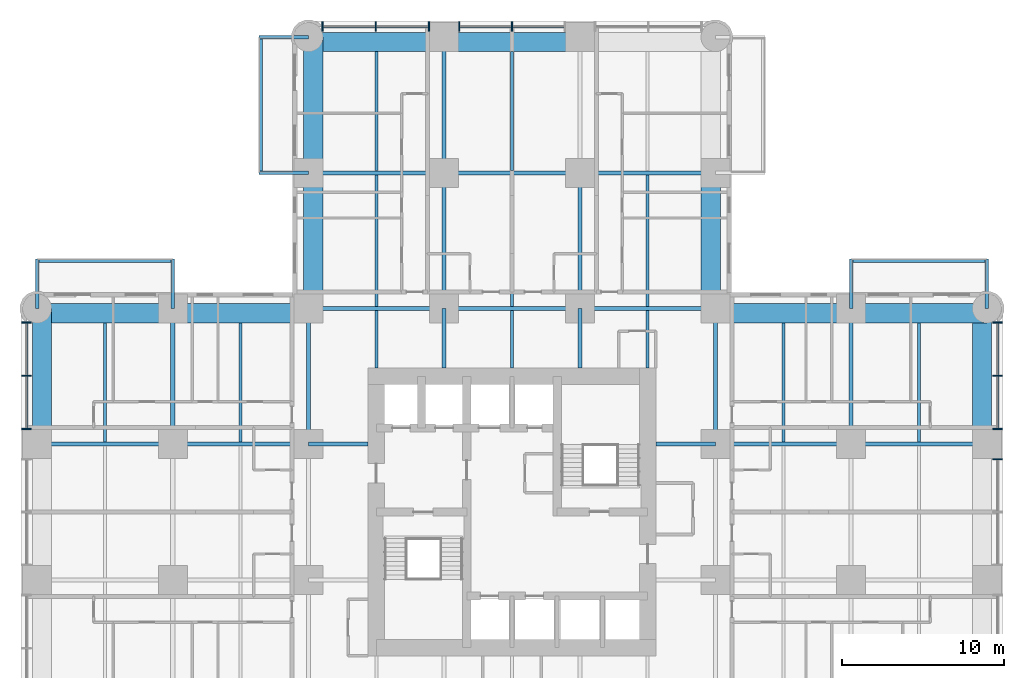
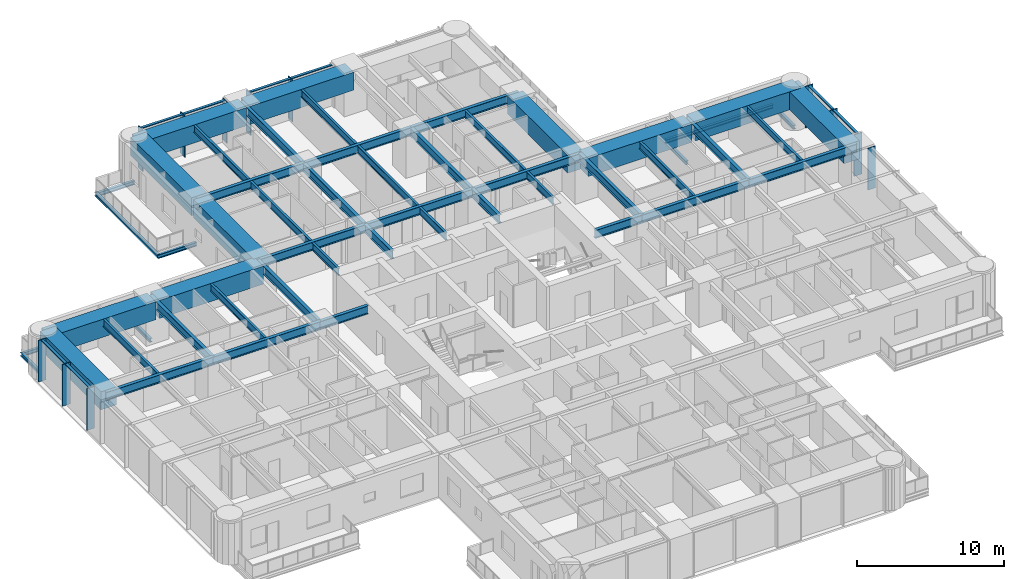
# One storey, part 4 of 17: 53 beams, 20 members, 3 elements without a shape of their own.
"""IFC4 building model written with IfcOpenShell, lengths in metres."""

from ifc_helpers import new_model, si_unit, direction, frame, origin, origin_2d, place, context, subcontext, project, spatial, rectangle, i_section, extrude, material, material_profile, profile_set, type_object, element, aggregate, save


model = new_model("IFC4")

# Units and contexts
model_context = context("Model", 3, precision=1e-05, world=origin(), true_north=direction((0.0, 1.0)))
body_context = subcontext(model_context, "Body", "Model", "MODEL_VIEW")
ifc_project = project(units=[si_unit("LENGTHUNIT", "METRE"), si_unit("AREAUNIT", "SQUARE_METRE"), si_unit("VOLUMEUNIT", "CUBIC_METRE"), si_unit("PLANEANGLEUNIT", "RADIAN"), si_unit("MASSUNIT", "GRAM", prefix="KILO")], contexts=[model_context])

# Site, building, storey
site_placement = place(None, origin())
site = spatial("IfcSite", under=ifc_project, at=site_placement, CompositionType="ELEMENT")
building_placement = place(site_placement, origin())
building = spatial("IfcBuilding", under=site, at=building_placement, Name="Torre Alcanfor", CompositionType="ELEMENT")
storey_placement = place(building_placement, frame((0.0, 0.0, 88.5)))
storey = spatial("IfcBuildingStorey", under=building, at=storey_placement, Name="L22", CompositionType="ELEMENT", Elevation=88.5)

# Beams
ifc_material_1 = material(Name="Steel ASTM A992 Grade 50", Category="steel")
ifc_material_profile_1 = material_profile(ifc_material_1, i_section(OverallWidth=0.205322265625, OverallDepth=0.309814453125, WebThickness=0.00927734375, FlangeThickness=0.016357421875, at=origin_2d()), Name="W12x50")
ifc_profile_set_1 = profile_set([ifc_material_profile_1], Name="Steel ASTM A992 Grade 50")
beam_type_1 = type_object("IfcBeamType", Name="Balcony cantilever beam W12x50", PredefinedType="BEAM", material=ifc_profile_set_1)
for number, where, z_axis, x_axis, name in (
    (1, (16.800048828125, 50.39990234375, -0.35498046875), (-1.0, 0.0, 0.0), (0.0, -1.0, 0.0), "Balcony cantilever beam L22-N1 1"),
    (2, (16.800048828125, 58.800048828125, -0.35498046875), (-1.0, 0.0, 0.0), (0.0, -1.0, 0.0), "Balcony cantilever beam L22-N1 2"),
    (3, (50.39990234375, 42.0, -0.35498046875), (0.0, 1.0, 0.0), (-1.0, 0.0, 0.0), "Balcony cantilever beam L22-E1 1"),
    (4, (58.800048828125, 42.0, -0.35498046875), (0.0, 1.0, 0.0), (-1.0, 0.0, 0.0), "Balcony cantilever beam L22-E1 2"),
    (5, (8.39990234375, 42.0, -0.35498046875), (0.0, 1.0, 0.0), (-1.0, 0.0, 0.0), "Balcony cantilever beam L22-W2 1"),
    (6, (0.0, 42.0, -0.35498046875), (0.0, 1.0, 0.0), (-1.0, 0.0, 0.0), "Balcony cantilever beam L22-W2 2"),
):
    element("IfcBeam", number, at=place(storey_placement, frame(where, z_axis=z_axis, x_axis=x_axis)), inside=storey, type_object=beam_type_1, Name=name, PredefinedType="BEAM", context=body_context, shape_type="SweptSolid", body=[
        extrude(i_section(OverallWidth=0.205322265625, OverallDepth=0.309814453125, WebThickness=0.00927734375, FlangeThickness=0.016357421875, at=origin_2d()), origin(), (0.0, 0.0, 1.0), 3.050048828125),
    ])
ifc_material_2 = material(Name="Steel ASTM A992 Grade 50", Category="steel")
ifc_material_profile_2 = material_profile(ifc_material_2, i_section(OverallWidth=0.203369140625, OverallDepth=0.30224609375, WebThickness=0.007568359375, FlangeThickness=0.01318359375, at=origin_2d()), Name="W12x40")
ifc_profile_set_2 = profile_set([ifc_material_profile_2], Name="Steel ASTM A992 Grade 50")
beam_type_2 = type_object("IfcBeamType", Name="Balcony edge trimmer W12x40", PredefinedType="BEAM", material=ifc_profile_set_2)
for number, where, z_axis, x_axis, name in (
    (7, (13.851806640625, 50.39990234375, -0.35107421875), (0.0, 1.0, 0.0), (-1.0, 0.0, 0.0), "Balcony edge trimmer L22-N1"),
    (8, (50.39990234375, 44.9482421875, -0.35107421875), (1.0, 0.0, 0.0), (0.0, 1.0, 0.0), "Balcony edge trimmer L22-E1"),
):
    element("IfcBeam", number, at=place(storey_placement, frame(where, z_axis=z_axis, x_axis=x_axis)), inside=storey, type_object=beam_type_2, Name=name, PredefinedType="BEAM", context=body_context, shape_type="SweptSolid", body=[
        extrude(i_section(OverallWidth=0.203369140625, OverallDepth=0.30224609375, WebThickness=0.007568359375, FlangeThickness=0.01318359375, at=origin_2d()), origin(), (0.0, 0.0, 1.0), 8.400146484375),
    ])
beam_1_placement = place(storey_placement, frame((8.39990234375, 44.9482421875, -0.35107421875), z_axis=(-1.0, 0.0, 0.0), x_axis=(0.0, -1.0, 0.0)))
element("IfcBeam", 9, at=beam_1_placement, inside=storey, type_object=beam_type_2, Name="Balcony edge trimmer L22-W2", PredefinedType="BEAM", context=body_context, shape_type="SweptSolid", body=[
    extrude(i_section(OverallWidth=0.203369140625, OverallDepth=0.30224609375, WebThickness=0.007568359375, FlangeThickness=0.01318359375, at=origin_2d()), origin(), (0.0, 0.0, 1.0), 8.39990234375),
])

# Curtain wall, members
ifc_material_3 = material(Name="Aluminium and glass", Category="aluminium")
curtain_wall_type = type_object("IfcCurtainWallType", Name="CW-A unitised apartment glazing with vertical FIN", PredefinedType="NOTDEFINED", material=ifc_material_3)
curtain_wall_1_placement = place(storey_placement, origin())
curtain_wall_1 = element("IfcCurtainWall", 10, at=curtain_wall_1_placement, inside=storey, type_object=curtain_wall_type, Name="Curtain wall CW-A L22 2", PredefinedType="NOTDEFINED")
ifc_material_4 = material(Name="Bronze anodised aluminium", Category="aluminium")
ifc_material_profile_3 = material_profile(ifc_material_4, rectangle(XDim=0.60009765625, YDim=0.06494140625, at=origin_2d()), Name="CW-A mullion 65x600")
ifc_profile_set_3 = profile_set([ifc_material_profile_3], Name="Bronze anodised aluminium")
member_type_1 = type_object("IfcMemberType", Name="CW-A mullion with vertical FIN 65x600", PredefinedType="MULLION", material=ifc_profile_set_3)
member_1_placement = place(storey_placement, frame((-0.64990234375, 41.133056640625, 0.0), z_axis=(0.0, 0.0, 1.0), x_axis=(1.0, 0.0, 0.0)))
member_1 = element("IfcMember", 11, at=member_1_placement, type_object=member_type_1, Name="CW-A mullion 1.1", PredefinedType="MULLION", context=body_context, shape_type="SweptSolid", body=[
    extrude(rectangle(XDim=0.60009765625, YDim=0.06494140625, at=origin_2d()), origin(), (0.0, 0.0, 1.0), 3.449951171875),
])
member_2_placement = place(storey_placement, frame((-0.64990234375, 37.835205078125, 0.0), z_axis=(0.0, 0.0, 1.0), x_axis=(1.0, 0.0, 0.0)))
member_2 = element("IfcMember", 12, at=member_2_placement, type_object=member_type_1, Name="CW-A mullion 1.2", PredefinedType="MULLION", context=body_context, shape_type="SweptSolid", body=[
    extrude(rectangle(XDim=0.60009765625, YDim=0.06494140625, at=origin_2d()), origin(), (0.0, 0.0, 1.0), 3.449951171875),
])
member_3_placement = place(storey_placement, frame((-0.64990234375, 34.53759765625, 0.0), z_axis=(0.0, 0.0, 1.0), x_axis=(1.0, 0.0, 0.0)))
member_3 = element("IfcMember", 13, at=member_3_placement, type_object=member_type_1, Name="CW-A mullion 1.3", PredefinedType="MULLION", context=body_context, shape_type="SweptSolid", body=[
    extrude(rectangle(XDim=0.60009765625, YDim=0.06494140625, at=origin_2d()), origin(), (0.0, 0.0, 1.0), 3.449951171875),
])

curtain_wall_2_placement = place(storey_placement, origin())
curtain_wall_2 = element("IfcCurtainWall", 14, at=curtain_wall_2_placement, inside=storey, type_object=curtain_wall_type, Name="Curtain wall CW-A L22 8", PredefinedType="NOTDEFINED")
member_4_placement = place(storey_placement, frame((59.449951171875, 32.66259765625, 0.0), z_axis=(0.0, 0.0, 1.0), x_axis=(-1.0, 0.0, 0.0)))
member_4 = element("IfcMember", 15, at=member_4_placement, type_object=member_type_1, Name="CW-A mullion 2.3", PredefinedType="MULLION", context=body_context, shape_type="SweptSolid", body=[
    extrude(rectangle(XDim=0.60009765625, YDim=0.06494140625, at=origin_2d()), origin(), (0.0, 0.0, 1.0), 3.449951171875),
])
member_5_placement = place(storey_placement, frame((59.449951171875, 34.53759765625, 0.0), z_axis=(0.0, 0.0, 1.0), x_axis=(-1.0, 0.0, 0.0)))
member_5 = element("IfcMember", 16, at=member_5_placement, type_object=member_type_1, Name="CW-A mullion 3.1", PredefinedType="MULLION", context=body_context, shape_type="SweptSolid", body=[
    extrude(rectangle(XDim=0.60009765625, YDim=0.06494140625, at=origin_2d()), origin(), (0.0, 0.0, 1.0), 3.449951171875),
])
member_6_placement = place(storey_placement, frame((59.449951171875, 37.835205078125, 0.0), z_axis=(0.0, 0.0, 1.0), x_axis=(-1.0, 0.0, 0.0)))
member_6 = element("IfcMember", 17, at=member_6_placement, type_object=member_type_1, Name="CW-A mullion 3.2", PredefinedType="MULLION", context=body_context, shape_type="SweptSolid", body=[
    extrude(rectangle(XDim=0.60009765625, YDim=0.06494140625, at=origin_2d()), origin(), (0.0, 0.0, 1.0), 3.449951171875),
])
member_7_placement = place(storey_placement, frame((59.449951171875, 41.133056640625, 0.0), z_axis=(0.0, 0.0, 1.0), x_axis=(-1.0, 0.0, 0.0)))
member_7 = element("IfcMember", 18, at=member_7_placement, type_object=member_type_1, Name="CW-A mullion 3.3", PredefinedType="MULLION", context=body_context, shape_type="SweptSolid", body=[
    extrude(rectangle(XDim=0.60009765625, YDim=0.06494140625, at=origin_2d()), origin(), (0.0, 0.0, 1.0), 3.449951171875),
])

curtain_wall_3_placement = place(storey_placement, origin())
curtain_wall_3 = element("IfcCurtainWall", 19, at=curtain_wall_3_placement, inside=storey, type_object=curtain_wall_type, Name="Curtain wall CW-A L22 11", PredefinedType="NOTDEFINED")
member_8_placement = place(storey_placement, frame((29.39990234375, 59.449951171875, 0.0), z_axis=(0.0, 0.0, 1.0), x_axis=(0.0, -1.0, 0.0)))
member_8 = element("IfcMember", 20, at=member_8_placement, type_object=member_type_1, Name="CW-A mullion 2.2", PredefinedType="MULLION", context=body_context, shape_type="SweptSolid", body=[
    extrude(rectangle(XDim=0.60009765625, YDim=0.06494140625, at=origin_2d()), origin(), (0.0, 0.0, 1.0), 3.449951171875),
])
member_9_placement = place(storey_placement, frame((26.137451171875, 59.449951171875, 0.0), z_axis=(0.0, 0.0, 1.0), x_axis=(0.0, -1.0, 0.0)))
member_9 = element("IfcMember", 21, at=member_9_placement, type_object=member_type_1, Name="CW-A mullion 2.3", PredefinedType="MULLION", context=body_context, shape_type="SweptSolid", body=[
    extrude(rectangle(XDim=0.60009765625, YDim=0.06494140625, at=origin_2d()), origin(), (0.0, 0.0, 1.0), 3.449951171875),
])
member_10_placement = place(storey_placement, frame((24.262451171875, 59.449951171875, 0.0), z_axis=(0.0, 0.0, 1.0), x_axis=(0.0, -1.0, 0.0)))
member_10 = element("IfcMember", 22, at=member_10_placement, type_object=member_type_1, Name="CW-A mullion 3.1", PredefinedType="MULLION", context=body_context, shape_type="SweptSolid", body=[
    extrude(rectangle(XDim=0.60009765625, YDim=0.06494140625, at=origin_2d()), origin(), (0.0, 0.0, 1.0), 3.449951171875),
])
member_11_placement = place(storey_placement, frame((20.96484375, 59.449951171875, 0.0), z_axis=(0.0, 0.0, 1.0), x_axis=(0.0, -1.0, 0.0)))
member_11 = element("IfcMember", 23, at=member_11_placement, type_object=member_type_1, Name="CW-A mullion 3.2", PredefinedType="MULLION", context=body_context, shape_type="SweptSolid", body=[
    extrude(rectangle(XDim=0.60009765625, YDim=0.06494140625, at=origin_2d()), origin(), (0.0, 0.0, 1.0), 3.449951171875),
])
member_12_placement = place(storey_placement, frame((17.6669921875, 59.449951171875, 0.0), z_axis=(0.0, 0.0, 1.0), x_axis=(0.0, -1.0, 0.0)))
member_12 = element("IfcMember", 24, at=member_12_placement, type_object=member_type_1, Name="CW-A mullion 3.3", PredefinedType="MULLION", context=body_context, shape_type="SweptSolid", body=[
    extrude(rectangle(XDim=0.60009765625, YDim=0.06494140625, at=origin_2d()), origin(), (0.0, 0.0, 1.0), 3.449951171875),
])

# Member
ifc_material_5 = material(Name="Extruded aluminium", Category="aluminium")
ifc_material_profile_4 = material_profile(ifc_material_5, rectangle(XDim=0.199951171875, YDim=0.06494140625, at=origin_2d()), Name="CW-A transom 200x65")
ifc_profile_set_4 = profile_set([ifc_material_profile_4], Name="Extruded aluminium")
member_type_2 = type_object("IfcMemberType", Name="CW-A transom 65x200", PredefinedType="USERDEFINED", material=ifc_profile_set_4)
member_13_placement = place(storey_placement, frame((-0.64990234375, 41.1005859375, 3.41748046875), z_axis=(0.0, -1.0, 0.0), x_axis=(1.0, 0.0, 0.0)))
member_13 = element("IfcMember", 25, at=member_13_placement, type_object=member_type_2, Name="CW-A transom 1.1.2", ObjectType="TRANSOM", PredefinedType="USERDEFINED", context=body_context, shape_type="SweptSolid", body=[
    extrude(rectangle(XDim=0.199951171875, YDim=0.06494140625, at=origin_2d()), origin(), (0.0, 0.0, 1.0), 3.23291015625),
])

member_14_placement = place(storey_placement, frame((-0.64990234375, 37.802734375, 3.41748046875), z_axis=(0.0, -1.0, 0.0), x_axis=(1.0, 0.0, 0.0)))
member_14 = element("IfcMember", 26, at=member_14_placement, type_object=member_type_2, Name="CW-A transom 1.2.2", ObjectType="TRANSOM", PredefinedType="USERDEFINED", context=body_context, shape_type="SweptSolid", body=[
    extrude(rectangle(XDim=0.199951171875, YDim=0.06494140625, at=origin_2d()), origin(), (0.0, 0.0, 1.0), 3.232666015625),
])

aggregate(curtain_wall_1, [member_1, member_2, member_3, member_13, member_14])

member_15_placement = place(storey_placement, frame((59.449951171875, 34.570068359375, 3.41748046875), z_axis=(0.0, 1.0, 0.0), x_axis=(-1.0, 0.0, 0.0)))
member_15 = element("IfcMember", 27, at=member_15_placement, type_object=member_type_2, Name="CW-A transom 3.1.2", ObjectType="TRANSOM", PredefinedType="USERDEFINED", context=body_context, shape_type="SweptSolid", body=[
    extrude(rectangle(XDim=0.199951171875, YDim=0.06494140625, at=origin_2d()), origin(), (0.0, 0.0, 1.0), 3.232666015625),
])

member_16_placement = place(storey_placement, frame((59.449951171875, 37.86767578125, 3.41748046875), z_axis=(0.0, 1.0, 0.0), x_axis=(-1.0, 0.0, 0.0)))
member_16 = element("IfcMember", 28, at=member_16_placement, type_object=member_type_2, Name="CW-A transom 3.2.2", ObjectType="TRANSOM", PredefinedType="USERDEFINED", context=body_context, shape_type="SweptSolid", body=[
    extrude(rectangle(XDim=0.199951171875, YDim=0.06494140625, at=origin_2d()), origin(), (0.0, 0.0, 1.0), 3.23291015625),
])

aggregate(curtain_wall_2, [member_4, member_5, member_6, member_7, member_15, member_16])

member_17_placement = place(storey_placement, frame((32.6298828125, 59.449951171875, 3.41748046875), z_axis=(-1.0, 0.0, 0.0), x_axis=(0.0, -1.0, 0.0)))
member_17 = element("IfcMember", 29, at=member_17_placement, type_object=member_type_2, Name="CW-A transom 2.1.2", ObjectType="TRANSOM", PredefinedType="USERDEFINED", context=body_context, shape_type="SweptSolid", body=[
    extrude(rectangle(XDim=0.199951171875, YDim=0.06494140625, at=origin_2d()), origin(), (0.0, 0.0, 1.0), 3.197265625),
])

member_18_placement = place(storey_placement, frame((29.367431640625, 59.449951171875, 3.41748046875), z_axis=(-1.0, 0.0, 0.0), x_axis=(0.0, -1.0, 0.0)))
member_18 = element("IfcMember", 30, at=member_18_placement, type_object=member_type_2, Name="CW-A transom 2.2.2", ObjectType="TRANSOM", PredefinedType="USERDEFINED", context=body_context, shape_type="SweptSolid", body=[
    extrude(rectangle(XDim=0.199951171875, YDim=0.06494140625, at=origin_2d()), origin(), (0.0, 0.0, 1.0), 3.197509765625),
])

member_19_placement = place(storey_placement, frame((24.22998046875, 59.449951171875, 3.41748046875), z_axis=(-1.0, 0.0, 0.0), x_axis=(0.0, -1.0, 0.0)))
member_19 = element("IfcMember", 31, at=member_19_placement, type_object=member_type_2, Name="CW-A transom 3.1.2", ObjectType="TRANSOM", PredefinedType="USERDEFINED", context=body_context, shape_type="SweptSolid", body=[
    extrude(rectangle(XDim=0.199951171875, YDim=0.06494140625, at=origin_2d()), origin(), (0.0, 0.0, 1.0), 3.232666015625),
])

member_20_placement = place(storey_placement, frame((20.93212890625, 59.449951171875, 3.41748046875), z_axis=(-1.0, 0.0, 0.0), x_axis=(0.0, -1.0, 0.0)))
member_20 = element("IfcMember", 32, at=member_20_placement, type_object=member_type_2, Name="CW-A transom 3.2.2", ObjectType="TRANSOM", PredefinedType="USERDEFINED", context=body_context, shape_type="SweptSolid", body=[
    extrude(rectangle(XDim=0.199951171875, YDim=0.06494140625, at=origin_2d()), origin(), (0.0, 0.0, 1.0), 3.232666015625),
])

aggregate(curtain_wall_3, [member_8, member_9, member_17, member_18, member_10, member_11, member_12, member_19, member_20])

# Beams
ifc_material_6 = material(Name="Steel ASTM A992 Grade 50", Category="steel")
ifc_material_profile_5 = material_profile(ifc_material_6, i_section(OverallWidth=0.25390625, OverallDepth=0.683349609375, WebThickness=0.012451171875, FlangeThickness=0.01904296875, at=origin_2d()), Name="W27x94")
ifc_profile_set_5 = profile_set([ifc_material_profile_5], Name="Steel ASTM A992 Grade 50")
beam_type_3 = type_object("IfcBeamType", Name="Girder W27x94", PredefinedType="BEAM", material=ifc_profile_set_5)
beam_2_placement = place(storey_placement, frame((0.0, 33.60009765625, 3.1083984375), z_axis=(1.0, 0.0, 0.0), x_axis=(0.0, 1.0, 0.0)))
element("IfcBeam", 33, at=beam_2_placement, inside=storey, type_object=beam_type_3, Name="Beam 1G-2G under L23", PredefinedType="BEAM", context=body_context, shape_type="SweptSolid", body=[
    extrude(i_section(OverallWidth=0.25390625, OverallDepth=0.683349609375, WebThickness=0.012451171875, FlangeThickness=0.01904296875, at=origin_2d()), origin(), (0.0, 0.0, 1.0), 8.39990234375),
])
beam_3_placement = place(storey_placement, frame((8.39990234375, 33.60009765625, 3.1083984375), z_axis=(1.0, 0.0, 0.0), x_axis=(0.0, 1.0, 0.0)))
element("IfcBeam", 34, at=beam_3_placement, inside=storey, type_object=beam_type_3, Name="Beam 2G-3G under L23", PredefinedType="BEAM", context=body_context, shape_type="SweptSolid", body=[
    extrude(i_section(OverallWidth=0.25390625, OverallDepth=0.683349609375, WebThickness=0.012451171875, FlangeThickness=0.01904296875, at=origin_2d()), origin(), (0.0, 0.0, 1.0), 8.400146484375),
])
beam_4_placement = place(storey_placement, frame((42.0, 33.60009765625, 3.1083984375), z_axis=(1.0, 0.0, 0.0), x_axis=(0.0, 1.0, 0.0)))
element("IfcBeam", 35, at=beam_4_placement, inside=storey, type_object=beam_type_3, Name="Beam 6G-7G under L23", PredefinedType="BEAM", context=body_context, shape_type="SweptSolid", body=[
    extrude(i_section(OverallWidth=0.25390625, OverallDepth=0.683349609375, WebThickness=0.012451171875, FlangeThickness=0.01904296875, at=origin_2d()), origin(), (0.0, 0.0, 1.0), 8.39990234375),
])
beam_5_placement = place(storey_placement, frame((50.39990234375, 33.60009765625, 3.1083984375), z_axis=(1.0, 0.0, 0.0), x_axis=(0.0, 1.0, 0.0)))
element("IfcBeam", 36, at=beam_5_placement, inside=storey, type_object=beam_type_3, Name="Beam 7G-8G under L23", PredefinedType="BEAM", context=body_context, shape_type="SweptSolid", body=[
    extrude(i_section(OverallWidth=0.25390625, OverallDepth=0.683349609375, WebThickness=0.012451171875, FlangeThickness=0.01904296875, at=origin_2d()), origin(), (0.0, 0.0, 1.0), 8.400146484375),
])
beam_6_placement = place(storey_placement, frame((16.800048828125, 42.0, 3.1083984375), z_axis=(1.0, 0.0, 0.0), x_axis=(0.0, 1.0, 0.0)))
element("IfcBeam", 37, at=beam_6_placement, inside=storey, type_object=beam_type_3, Name="Beam 3H-4H under L23", PredefinedType="BEAM", context=body_context, shape_type="SweptSolid", body=[
    extrude(i_section(OverallWidth=0.25390625, OverallDepth=0.683349609375, WebThickness=0.012451171875, FlangeThickness=0.01904296875, at=origin_2d()), origin(), (0.0, 0.0, 1.0), 8.39990234375),
])
beam_7_placement = place(storey_placement, frame((25.199951171875, 42.0, 3.1083984375), z_axis=(1.0, 0.0, 0.0), x_axis=(0.0, 1.0, 0.0)))
element("IfcBeam", 38, at=beam_7_placement, inside=storey, type_object=beam_type_3, Name="Beam 4H-5H under L23", PredefinedType="BEAM", context=body_context, shape_type="SweptSolid", body=[
    extrude(i_section(OverallWidth=0.25390625, OverallDepth=0.683349609375, WebThickness=0.012451171875, FlangeThickness=0.01904296875, at=origin_2d()), origin(), (0.0, 0.0, 1.0), 8.400146484375),
])
for number, where, z_axis, x_axis, name in (
    (39, (33.60009765625, 42.0, 3.1083984375), (1.0, 0.0, 0.0), (0.0, 1.0, 0.0), "Beam 5H-6H under L23"),
    (40, (16.800048828125, 50.39990234375, 3.1083984375), (1.0, 0.0, 0.0), (0.0, 1.0, 0.0), "Beam 3J-4J under L23"),
):
    element("IfcBeam", number, at=place(storey_placement, frame(where, z_axis=z_axis, x_axis=x_axis)), inside=storey, type_object=beam_type_3, Name=name, PredefinedType="BEAM", context=body_context, shape_type="SweptSolid", body=[
        extrude(i_section(OverallWidth=0.25390625, OverallDepth=0.683349609375, WebThickness=0.012451171875, FlangeThickness=0.01904296875, at=origin_2d()), origin(), (0.0, 0.0, 1.0), 8.39990234375),
    ])
beam_8_placement = place(storey_placement, frame((25.199951171875, 50.39990234375, 3.1083984375), z_axis=(1.0, 0.0, 0.0), x_axis=(0.0, 1.0, 0.0)))
element("IfcBeam", 41, at=beam_8_placement, inside=storey, type_object=beam_type_3, Name="Beam 4J-5J under L23", PredefinedType="BEAM", context=body_context, shape_type="SweptSolid", body=[
    extrude(i_section(OverallWidth=0.25390625, OverallDepth=0.683349609375, WebThickness=0.012451171875, FlangeThickness=0.01904296875, at=origin_2d()), origin(), (0.0, 0.0, 1.0), 8.400146484375),
])
for number, where, z_axis, x_axis, name in (
    (42, (33.60009765625, 50.39990234375, 3.1083984375), (1.0, 0.0, 0.0), (0.0, 1.0, 0.0), "Beam 5J-6J under L23"),
    (43, (8.39990234375, 33.60009765625, 3.1083984375), (0.0, 1.0, 0.0), (-1.0, 0.0, 0.0), "Beam 2G-2H under L23"),
    (44, (16.800048828125, 33.60009765625, 3.1083984375), (0.0, 1.0, 0.0), (-1.0, 0.0, 0.0), "Beam 3G-3H under L23"),
    (45, (25.199951171875, 42.0, 3.1083984375), (0.0, 1.0, 0.0), (-1.0, 0.0, 0.0), "Beam 4H-4J under L23"),
):
    element("IfcBeam", number, at=place(storey_placement, frame(where, z_axis=z_axis, x_axis=x_axis)), inside=storey, type_object=beam_type_3, Name=name, PredefinedType="BEAM", context=body_context, shape_type="SweptSolid", body=[
        extrude(i_section(OverallWidth=0.25390625, OverallDepth=0.683349609375, WebThickness=0.012451171875, FlangeThickness=0.01904296875, at=origin_2d()), origin(), (0.0, 0.0, 1.0), 8.39990234375),
    ])
beam_9_placement = place(storey_placement, frame((25.199951171875, 50.39990234375, 3.1083984375), z_axis=(0.0, 1.0, 0.0), x_axis=(-1.0, 0.0, 0.0)))
element("IfcBeam", 46, at=beam_9_placement, inside=storey, type_object=beam_type_3, Name="Beam 4J-4K under L23", PredefinedType="BEAM", context=body_context, shape_type="SweptSolid", body=[
    extrude(i_section(OverallWidth=0.25390625, OverallDepth=0.683349609375, WebThickness=0.012451171875, FlangeThickness=0.01904296875, at=origin_2d()), origin(), (0.0, 0.0, 1.0), 8.400146484375),
])
for number, where, z_axis, x_axis, name in (
    (47, (33.60009765625, 42.0, 3.1083984375), (0.0, 1.0, 0.0), (-1.0, 0.0, 0.0), "Beam 5H-5J under L23"),
    (48, (42.0, 33.60009765625, 3.1083984375), (0.0, 1.0, 0.0), (-1.0, 0.0, 0.0), "Beam 6G-6H under L23"),
    (49, (50.39990234375, 33.60009765625, 3.1083984375), (0.0, 1.0, 0.0), (-1.0, 0.0, 0.0), "Beam 7G-7H under L23"),
):
    element("IfcBeam", number, at=place(storey_placement, frame(where, z_axis=z_axis, x_axis=x_axis)), inside=storey, type_object=beam_type_3, Name=name, PredefinedType="BEAM", context=body_context, shape_type="SweptSolid", body=[
        extrude(i_section(OverallWidth=0.25390625, OverallDepth=0.683349609375, WebThickness=0.012451171875, FlangeThickness=0.01904296875, at=origin_2d()), origin(), (0.0, 0.0, 1.0), 8.39990234375),
    ])
ifc_material_7 = material(Name="Steel ASTM A992 Grade 50", Category="steel")
ifc_material_profile_6 = material_profile(ifc_material_7, i_section(OverallWidth=0.25390625, OverallDepth=0.683349609375, WebThickness=0.012451171875, FlangeThickness=0.01904296875, at=origin_2d()), Name="W27x94")
ifc_profile_set_6 = profile_set([ifc_material_profile_6], Name="Steel ASTM A992 Grade 50")
beam_type_4 = type_object("IfcBeamType", Name="Girder, part bay W27x94", PredefinedType="BEAM", material=ifc_profile_set_6)
for number, where, z_axis, x_axis, name in (
    (50, (25.199951171875, 42.0, 3.1083984375), (0.0, -1.0, 0.0), (1.0, 0.0, 0.0), "Beam 4H-438_3 under L23"),
    (51, (33.60009765625, 42.0, 3.1083984375), (0.0, -1.0, 0.0), (1.0, 0.0, 0.0), "Beam 5H-538_3 under L23"),
    (52, (16.800048828125, 33.60009765625, 3.1083984375), (1.0, 0.0, 0.0), (0.0, 1.0, 0.0), "Beam 3G-20_5G under L23"),
    (53, (42.0, 33.60009765625, 3.1083984375), (-1.0, 0.0, 0.0), (0.0, -1.0, 0.0), "Beam 6G-38_3G under L23"),
):
    element("IfcBeam", number, at=place(storey_placement, frame(where, z_axis=z_axis, x_axis=x_axis)), inside=storey, type_object=beam_type_4, Name=name, PredefinedType="BEAM", context=body_context, shape_type="SweptSolid", body=[
        extrude(i_section(OverallWidth=0.25390625, OverallDepth=0.683349609375, WebThickness=0.012451171875, FlangeThickness=0.01904296875, at=origin_2d()), origin(), (0.0, 0.0, 1.0), 3.699951171875),
    ])
ifc_material_8 = material(Name="Concrete f'c 70 MPa", Category="concrete")
ifc_material_profile_7 = material_profile(ifc_material_8, rectangle(XDim=1.199951171875, YDim=1.5, at=origin_2d()), Name="1200x1500")
ifc_profile_set_7 = profile_set([ifc_material_profile_7], Name="Concrete f'c 70 MPa")
beam_type_5 = type_object("IfcBeamType", Name="RC perimeter beam 1200x1500", PredefinedType="BEAM", material=ifc_profile_set_7)
beam_10_placement = place(storey_placement, frame((0.0, 41.699951171875, 2.699951171875), z_axis=(1.0, 0.0, 0.0), x_axis=(0.0, 1.0, 0.0)))
element("IfcBeam", 54, at=beam_10_placement, inside=storey, type_object=beam_type_5, Name="Beam 1H-2H under L23", PredefinedType="BEAM", context=body_context, shape_type="SweptSolid", body=[
    extrude(rectangle(XDim=1.199951171875, YDim=1.5, at=origin_2d()), origin(), (0.0, 0.0, 1.0), 8.27294921875),
])
for number, where, z_axis, x_axis, name in (
    (55, (8.527099609375, 41.699951171875, 2.699951171875), (1.0, 0.0, 0.0), (0.0, 1.0, 0.0), "Beam 2H-3H under L23"),
    (56, (42.126953125, 41.699951171875, 2.699951171875), (1.0, 0.0, 0.0), (0.0, 1.0, 0.0), "Beam 6H-7H under L23"),
):
    element("IfcBeam", number, at=place(storey_placement, frame(where, z_axis=z_axis, x_axis=x_axis)), inside=storey, type_object=beam_type_5, Name=name, PredefinedType="BEAM", context=body_context, shape_type="SweptSolid", body=[
        extrude(rectangle(XDim=1.199951171875, YDim=1.5, at=origin_2d()), origin(), (0.0, 0.0, 1.0), 8.14599609375),
    ])
for number, where, z_axis, x_axis, name in (
    (57, (50.527099609375, 41.699951171875, 2.699951171875), (1.0, 0.0, 0.0), (0.0, 1.0, 0.0), "Beam 7H-8H under L23"),
    (58, (16.800048828125, 58.5, 2.699951171875), (1.0, 0.0, 0.0), (0.0, 1.0, 0.0), "Beam 3K-4K under L23"),
):
    element("IfcBeam", number, at=place(storey_placement, frame(where, z_axis=z_axis, x_axis=x_axis)), inside=storey, type_object=beam_type_5, Name=name, PredefinedType="BEAM", context=body_context, shape_type="SweptSolid", body=[
        extrude(rectangle(XDim=1.199951171875, YDim=1.5, at=origin_2d()), origin(), (0.0, 0.0, 1.0), 8.27294921875),
    ])
beam_11_placement = place(storey_placement, frame((25.326904296875, 58.5, 2.699951171875), z_axis=(1.0, 0.0, 0.0), x_axis=(0.0, 1.0, 0.0)))
element("IfcBeam", 59, at=beam_11_placement, inside=storey, type_object=beam_type_5, Name="Beam 4K-5K under L23", PredefinedType="BEAM", context=body_context, shape_type="SweptSolid", body=[
    extrude(rectangle(XDim=1.199951171875, YDim=1.5, at=origin_2d()), origin(), (0.0, 0.0, 1.0), 8.14599609375),
])
beam_12_placement = place(storey_placement, frame((0.300048828125, 33.72705078125, 2.699951171875), z_axis=(0.0, 1.0, 0.0), x_axis=(-1.0, 0.0, 0.0)))
element("IfcBeam", 60, at=beam_12_placement, inside=storey, type_object=beam_type_5, Name="Beam 1G-1H under L23", PredefinedType="BEAM", context=body_context, shape_type="SweptSolid", body=[
    extrude(rectangle(XDim=1.199951171875, YDim=1.5, at=origin_2d()), origin(), (0.0, 0.0, 1.0), 8.27294921875),
])
beam_13_placement = place(storey_placement, frame((17.10009765625, 42.126953125, 2.699951171875), z_axis=(0.0, 1.0, 0.0), x_axis=(-1.0, 0.0, 0.0)))
element("IfcBeam", 61, at=beam_13_placement, inside=storey, type_object=beam_type_5, Name="Beam 3H-3J under L23", PredefinedType="BEAM", context=body_context, shape_type="SweptSolid", body=[
    extrude(rectangle(XDim=1.199951171875, YDim=1.5, at=origin_2d()), origin(), (0.0, 0.0, 1.0), 8.14599609375),
])
beam_14_placement = place(storey_placement, frame((17.10009765625, 50.527099609375, 2.699951171875), z_axis=(0.0, 1.0, 0.0), x_axis=(-1.0, 0.0, 0.0)))
element("IfcBeam", 62, at=beam_14_placement, inside=storey, type_object=beam_type_5, Name="Beam 3J-3K under L23", PredefinedType="BEAM", context=body_context, shape_type="SweptSolid", body=[
    extrude(rectangle(XDim=1.199951171875, YDim=1.5, at=origin_2d()), origin(), (0.0, 0.0, 1.0), 8.27294921875),
])
beam_15_placement = place(storey_placement, frame((41.699951171875, 42.126953125, 2.699951171875), z_axis=(0.0, 1.0, 0.0), x_axis=(-1.0, 0.0, 0.0)))
element("IfcBeam", 63, at=beam_15_placement, inside=storey, type_object=beam_type_5, Name="Beam 6H-6J under L23", PredefinedType="BEAM", context=body_context, shape_type="SweptSolid", body=[
    extrude(rectangle(XDim=1.199951171875, YDim=1.5, at=origin_2d()), origin(), (0.0, 0.0, 1.0), 8.14599609375),
])
beam_16_placement = place(storey_placement, frame((58.5, 33.72705078125, 2.699951171875), z_axis=(0.0, 1.0, 0.0), x_axis=(-1.0, 0.0, 0.0)))
element("IfcBeam", 64, at=beam_16_placement, inside=storey, type_object=beam_type_5, Name="Beam 8G-8H under L23", PredefinedType="BEAM", context=body_context, shape_type="SweptSolid", body=[
    extrude(rectangle(XDim=1.199951171875, YDim=1.5, at=origin_2d()), origin(), (0.0, 0.0, 1.0), 8.27294921875),
])
ifc_material_9 = material(Name="Steel ASTM A992 Grade 50", Category="steel")
ifc_material_profile_8 = material_profile(ifc_material_9, i_section(OverallWidth=0.1787109375, OverallDepth=0.60205078125, WebThickness=0.010986328125, FlangeThickness=0.014892578125, at=origin_2d()), Name="W24x62")
ifc_profile_set_8 = profile_set([ifc_material_profile_8], Name="Steel ASTM A992 Grade 50")
beam_type_6 = type_object("IfcBeamType", Name="Secondary beam W24x62", PredefinedType="BEAM", material=ifc_profile_set_8)
for number, where, z_axis, x_axis, name in (
    (65, (4.199951171875, 33.72705078125, 3.14892578125), (0.0, 1.0, 0.0), (-1.0, 0.0, 0.0), "Beam 4_2G-4_2H under L23"),
    (66, (12.60009765625, 33.72705078125, 3.14892578125), (0.0, 1.0, 0.0), (-1.0, 0.0, 0.0), "Beam 12_6G-12_6H under L23"),
):
    element("IfcBeam", number, at=place(storey_placement, frame(where, z_axis=z_axis, x_axis=x_axis)), inside=storey, type_object=beam_type_6, Name=name, PredefinedType="BEAM", context=body_context, shape_type="SweptSolid", body=[
        extrude(i_section(OverallWidth=0.1787109375, OverallDepth=0.60205078125, WebThickness=0.010986328125, FlangeThickness=0.014892578125, at=origin_2d()), origin(), (0.0, 0.0, 1.0), 7.373046875),
    ])
beam_17_placement = place(storey_placement, frame((21.0, 42.126953125, 3.14892578125), z_axis=(0.0, 1.0, 0.0), x_axis=(-1.0, 0.0, 0.0)))
element("IfcBeam", 67, at=beam_17_placement, inside=storey, type_object=beam_type_6, Name="Beam 21H-21J under L23", PredefinedType="BEAM", context=body_context, shape_type="SweptSolid", body=[
    extrude(i_section(OverallWidth=0.1787109375, OverallDepth=0.60205078125, WebThickness=0.010986328125, FlangeThickness=0.014892578125, at=origin_2d()), origin(), (0.0, 0.0, 1.0), 8.14599609375),
])
beam_18_placement = place(storey_placement, frame((21.0, 50.527099609375, 3.14892578125), z_axis=(0.0, 1.0, 0.0), x_axis=(-1.0, 0.0, 0.0)))
element("IfcBeam", 68, at=beam_18_placement, inside=storey, type_object=beam_type_6, Name="Beam 21J-21K under L23", PredefinedType="BEAM", context=body_context, shape_type="SweptSolid", body=[
    extrude(i_section(OverallWidth=0.1787109375, OverallDepth=0.60205078125, WebThickness=0.010986328125, FlangeThickness=0.014892578125, at=origin_2d()), origin(), (0.0, 0.0, 1.0), 7.372802734375),
])
beam_19_placement = place(storey_placement, frame((29.39990234375, 42.126953125, 3.14892578125), z_axis=(0.0, 1.0, 0.0), x_axis=(-1.0, 0.0, 0.0)))
element("IfcBeam", 69, at=beam_19_placement, inside=storey, type_object=beam_type_6, Name="Beam 29_4H-29_4J under L23", PredefinedType="BEAM", context=body_context, shape_type="SweptSolid", body=[
    extrude(i_section(OverallWidth=0.1787109375, OverallDepth=0.60205078125, WebThickness=0.010986328125, FlangeThickness=0.014892578125, at=origin_2d()), origin(), (0.0, 0.0, 1.0), 8.14599609375),
])
beam_20_placement = place(storey_placement, frame((29.39990234375, 50.527099609375, 3.14892578125), z_axis=(0.0, 1.0, 0.0), x_axis=(-1.0, 0.0, 0.0)))
element("IfcBeam", 70, at=beam_20_placement, inside=storey, type_object=beam_type_6, Name="Beam 29_4J-29_4K under L23", PredefinedType="BEAM", context=body_context, shape_type="SweptSolid", body=[
    extrude(i_section(OverallWidth=0.1787109375, OverallDepth=0.60205078125, WebThickness=0.010986328125, FlangeThickness=0.014892578125, at=origin_2d()), origin(), (0.0, 0.0, 1.0), 7.372802734375),
])
beam_21_placement = place(storey_placement, frame((37.800048828125, 42.126953125, 3.14892578125), z_axis=(0.0, 1.0, 0.0), x_axis=(-1.0, 0.0, 0.0)))
element("IfcBeam", 71, at=beam_21_placement, inside=storey, type_object=beam_type_6, Name="Beam 37_8H-37_8J under L23", PredefinedType="BEAM", context=body_context, shape_type="SweptSolid", body=[
    extrude(i_section(OverallWidth=0.1787109375, OverallDepth=0.60205078125, WebThickness=0.010986328125, FlangeThickness=0.014892578125, at=origin_2d()), origin(), (0.0, 0.0, 1.0), 8.14599609375),
])
for number, where, z_axis, x_axis, name in (
    (72, (46.199951171875, 33.72705078125, 3.14892578125), (0.0, 1.0, 0.0), (-1.0, 0.0, 0.0), "Beam 46_2G-46_2H under L23"),
    (73, (54.60009765625, 33.72705078125, 3.14892578125), (0.0, 1.0, 0.0), (-1.0, 0.0, 0.0), "Beam 54_6G-54_6H under L23"),
):
    element("IfcBeam", number, at=place(storey_placement, frame(where, z_axis=z_axis, x_axis=x_axis)), inside=storey, type_object=beam_type_6, Name=name, PredefinedType="BEAM", context=body_context, shape_type="SweptSolid", body=[
        extrude(i_section(OverallWidth=0.1787109375, OverallDepth=0.60205078125, WebThickness=0.010986328125, FlangeThickness=0.014892578125, at=origin_2d()), origin(), (0.0, 0.0, 1.0), 7.373046875),
    ])
ifc_material_10 = material(Name="Steel ASTM A992 Grade 50", Category="steel")
ifc_material_profile_9 = material_profile(ifc_material_10, i_section(OverallWidth=0.1787109375, OverallDepth=0.60205078125, WebThickness=0.010986328125, FlangeThickness=0.014892578125, at=origin_2d()), Name="W24x62")
ifc_profile_set_9 = profile_set([ifc_material_profile_9], Name="Steel ASTM A992 Grade 50")
beam_type_7 = type_object("IfcBeamType", Name="Secondary beam, part bay W24x62", PredefinedType="BEAM", material=ifc_profile_set_9)
for number, where, z_axis, x_axis, name in (
    (74, (21.0, 38.300048828125, 3.14892578125), (0.0, 1.0, 0.0), (-1.0, 0.0, 0.0), "Beam 2138_3-21H under L23"),
    (75, (29.39990234375, 38.300048828125, 3.14892578125), (0.0, 1.0, 0.0), (-1.0, 0.0, 0.0), "Beam 29_438_3-29_4H under L23"),
    (76, (37.800048828125, 38.300048828125, 3.14892578125), (0.0, 1.0, 0.0), (-1.0, 0.0, 0.0), "Beam 37_838_3-37_8H under L23"),
):
    element("IfcBeam", number, at=place(storey_placement, frame(where, z_axis=z_axis, x_axis=x_axis)), inside=storey, type_object=beam_type_7, Name=name, PredefinedType="BEAM", context=body_context, shape_type="SweptSolid", body=[
        extrude(i_section(OverallWidth=0.1787109375, OverallDepth=0.60205078125, WebThickness=0.010986328125, FlangeThickness=0.014892578125, at=origin_2d()), origin(), (0.0, 0.0, 1.0), 3.572998046875),
    ])

save(model, "model.ifc")
